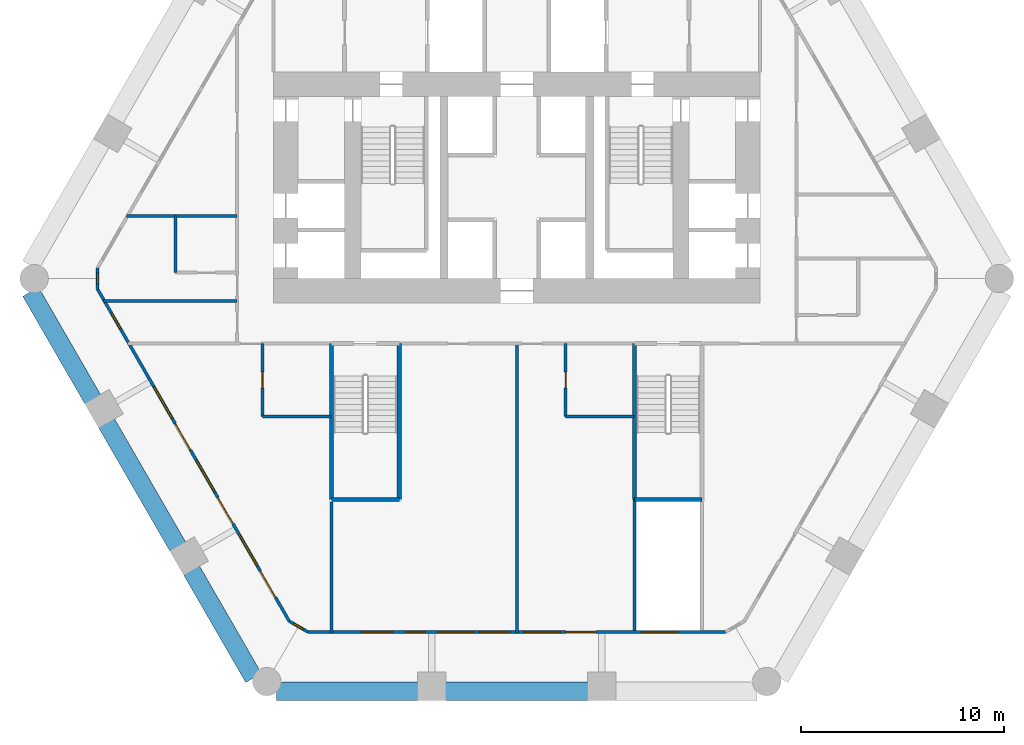
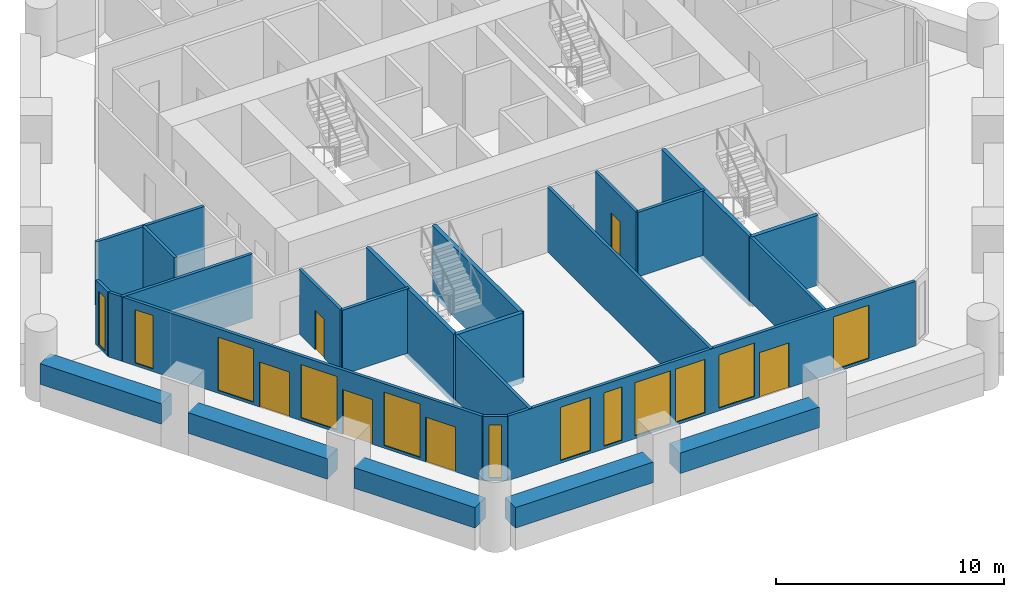
# One storey, part 2 of 8: 24 walls, 12 windows, 6 doors, 18 openings.
"""IFC4 building model written with IfcOpenShell, lengths in metres."""

from ifc_helpers import new_model, si_unit, direction, frame, frame_2d, origin, place, context, subcontext, project, spatial, rectangle, extrude, material, layer, layer_set, type_object, element, fill, save


model = new_model("IFC4")

# Units and contexts
model_context = context("Model", 3, precision=1e-05, world=origin(), true_north=direction((0.0, 1.0)))
body_context = subcontext(model_context, "Body", "Model", "MODEL_VIEW")
ifc_project = project(units=[si_unit("LENGTHUNIT", "METRE"), si_unit("AREAUNIT", "SQUARE_METRE"), si_unit("VOLUMEUNIT", "CUBIC_METRE"), si_unit("PLANEANGLEUNIT", "RADIAN"), si_unit("MASSUNIT", "GRAM", prefix="KILO")], contexts=[model_context])

# Site, building, storey
site_placement = place(None, origin())
site = spatial("IfcSite", under=ifc_project, at=site_placement, CompositionType="ELEMENT")
building_placement = place(site_placement, origin())
building = spatial("IfcBuilding", under=site, at=building_placement, Name="Ostrander Bayou Hotel Tower", CompositionType="ELEMENT")
storey_placement = place(building_placement, frame((0.0, 0.0, 54.25)))
storey = spatial("IfcBuildingStorey", under=building, at=storey_placement, Name="L13", CompositionType="ELEMENT", Elevation=54.25)

# Wall, openings, doors, windows
ifc_material_1 = material(Name="Aluminium framed insulated wall", Category="aluminium")
ifc_layer_1 = layer(ifc_material_1, 0.14990234375)
ifc_layer_set_1 = layer_set([ifc_layer_1], Name="GW1 glass-line wall 150 mm")
wall_type_1 = type_object("IfcWallType", Name="GW1 glass-line wall 150 mm", PredefinedType="SOLIDWALL", material=ifc_layer_set_1)
wall_1_placement = place(storey_placement, frame((-20.6845703125, -1.0234375, 0.0), z_axis=(0.0, 0.0, 1.0), x_axis=(0.500004426522, -0.866022848116, 0.0)))
wall_1 = element("IfcWall", 1, at=wall_1_placement, inside=storey, type_object=wall_type_1, Name="GW1 L13 SW 1", PredefinedType="SOLIDWALL", context=body_context, shape_type="SweptSolid", body=[
    extrude(rectangle(XDim=18.911865234375, YDim=0.14990234375, at=frame_2d((9.4560546875, 0.0))), origin(), (0.0, 0.0, 1.0), 3.449951171875),
])
opening_1_placement = place(wall_1_placement, frame((1.35595703125, 0.0, 0.14990234375)))
opening_1 = element("IfcOpeningElement", 2, at=opening_1_placement, cuts=wall_1, Name="Opening W15", PredefinedType="OPENING", context=body_context, shape_type="SweptSolid", body=[
    extrude(rectangle(XDim=0.89990234375, YDim=2.85009765625, at=frame_2d((0.449951171875, 1.425048828125))), frame((0.0, 0.074951171875, 0.0), z_axis=(0.0, -1.0, 0.0), x_axis=(1.0, 0.0, 0.0)), (0.0, 0.0, 1.0), 0.14990234375),
])
opening_2_placement = place(wall_1_placement, frame((5.555908203125, 0.0, 0.14990234375)))
opening_2 = element("IfcOpeningElement", 3, at=opening_2_placement, cuts=wall_1, Name="Opening W1", PredefinedType="OPENING", context=body_context, shape_type="SweptSolid", body=[
    extrude(rectangle(XDim=1.800048828125, YDim=2.85009765625, at=frame_2d((0.89990234375, 1.425048828125))), frame((0.0, 0.074951171875, 0.0), z_axis=(0.0, -1.0, 0.0), x_axis=(1.0, 0.0, 0.0)), (0.0, 0.0, 1.0), 0.14990234375),
])
opening_3_placement = place(wall_1_placement, frame((7.656005859375, 0.0, 0.0)))
opening_3 = element("IfcOpeningElement", 4, at=opening_3_placement, cuts=wall_1, Name="Opening T12-800", PredefinedType="OPENING", context=body_context, shape_type="SweptSolid", body=[
    extrude(rectangle(XDim=1.5, YDim=2.39990234375, at=frame_2d((0.75, 1.199951171875))), frame((0.0, 0.074951171875, 0.0), z_axis=(0.0, -1.0, 0.0), x_axis=(1.0, 0.0, 0.0)), (0.0, 0.0, 1.0), 0.14990234375),
])
opening_4_placement = place(wall_1_placement, frame((9.755859375, 0.0, 0.14990234375)))
opening_4 = element("IfcOpeningElement", 5, at=opening_4_placement, cuts=wall_1, Name="Opening W1", PredefinedType="OPENING", context=body_context, shape_type="SweptSolid", body=[
    extrude(rectangle(XDim=1.800048828125, YDim=2.85009765625, at=frame_2d((0.89990234375, 1.425048828125))), frame((0.0, 0.074951171875, 0.0), z_axis=(0.0, -1.0, 0.0), x_axis=(1.0, 0.0, 0.0)), (0.0, 0.0, 1.0), 0.14990234375),
])
opening_5_placement = place(wall_1_placement, frame((11.85595703125, 0.0, 0.0)))
opening_5 = element("IfcOpeningElement", 6, at=opening_5_placement, cuts=wall_1, Name="Opening T12-801", PredefinedType="OPENING", context=body_context, shape_type="SweptSolid", body=[
    extrude(rectangle(XDim=1.5, YDim=2.39990234375, at=frame_2d((0.75, 1.199951171875))), frame((0.0, 0.074951171875, 0.0), z_axis=(0.0, -1.0, 0.0), x_axis=(1.0, 0.0, 0.0)), (0.0, 0.0, 1.0), 0.14990234375),
])
opening_6_placement = place(wall_1_placement, frame((13.955810546875, 0.0, 0.14990234375)))
opening_6 = element("IfcOpeningElement", 7, at=opening_6_placement, cuts=wall_1, Name="Opening W1", PredefinedType="OPENING", context=body_context, shape_type="SweptSolid", body=[
    extrude(rectangle(XDim=1.800048828125, YDim=2.85009765625, at=frame_2d((0.89990234375, 1.425048828125))), frame((0.0, 0.074951171875, 0.0), z_axis=(0.0, -1.0, 0.0), x_axis=(1.0, 0.0, 0.0)), (0.0, 0.0, 1.0), 0.14990234375),
])
opening_7_placement = place(wall_1_placement, frame((16.055908203125, 0.0, 0.0)))
opening_7 = element("IfcOpeningElement", 8, at=opening_7_placement, cuts=wall_1, Name="Opening T12-802", PredefinedType="OPENING", context=body_context, shape_type="SweptSolid", body=[
    extrude(rectangle(XDim=1.5, YDim=2.39990234375, at=frame_2d((0.75, 1.199951171875))), frame((0.0, 0.074951171875, 0.0), z_axis=(0.0, -1.0, 0.0), x_axis=(1.0, 0.0, 0.0)), (0.0, 0.0, 1.0), 0.14990234375),
])
ifc_material_2 = material(Name="Aluminium and clear glass", Category="aluminium")
door_type_1 = type_object("IfcDoorType", Name="SD1 sliding glass door 1500 mm, zone 1", OperationType="SLIDING_TO_LEFT", PredefinedType="DOOR", material=ifc_material_2)
door_1_placement = place(opening_3_placement, origin())
door_1 = element("IfcDoor", 9, at=door_1_placement, inside=storey, type_object=door_type_1, Name="SD1 L13 SW 2", OperationType="SLIDING_TO_RIGHT", OverallHeight=2.39990234375, OverallWidth=1.5, PredefinedType="DOOR", context=body_context, shape_type="SweptSolid", body=[
    extrude(rectangle(XDim=1.5, YDim=2.39990234375, at=frame_2d((0.75, 1.199951171875))), frame((0.0, 0.02490234375, 0.0), z_axis=(0.0, -1.0, 0.0), x_axis=(1.0, 0.0, 0.0)), (0.0, 0.0, 1.0), 0.050048828125),
])
fill(opening_3, door_1)
door_2_placement = place(opening_5_placement, origin())
door_2 = element("IfcDoor", 10, at=door_2_placement, inside=storey, type_object=door_type_1, Name="SD1 L13 SW 3", OperationType="SLIDING_TO_LEFT", OverallHeight=2.39990234375, OverallWidth=1.5, PredefinedType="DOOR", context=body_context, shape_type="SweptSolid", body=[
    extrude(rectangle(XDim=1.5, YDim=2.39990234375, at=frame_2d((0.75, 1.199951171875))), frame((0.0, 0.02490234375, 0.0), z_axis=(0.0, -1.0, 0.0), x_axis=(1.0, 0.0, 0.0)), (0.0, 0.0, 1.0), 0.050048828125),
])
fill(opening_5, door_2)
door_3_placement = place(opening_7_placement, origin())
door_3 = element("IfcDoor", 11, at=door_3_placement, inside=storey, type_object=door_type_1, Name="SD1 L13 SW 4", OperationType="SLIDING_TO_RIGHT", OverallHeight=2.39990234375, OverallWidth=1.5, PredefinedType="DOOR", context=body_context, shape_type="SweptSolid", body=[
    extrude(rectangle(XDim=1.5, YDim=2.39990234375, at=frame_2d((0.75, 1.199951171875))), frame((0.0, 0.02490234375, 0.0), z_axis=(0.0, -1.0, 0.0), x_axis=(1.0, 0.0, 0.0)), (0.0, 0.0, 1.0), 0.050048828125),
])
fill(opening_7, door_3)
ifc_material_3 = material(Name="Aluminium and clear glass", Category="aluminium")
window_type_1 = type_object("IfcWindowType", Name="W1 fixed window 1800 mm, zone 1", PartitioningType="SINGLE_PANEL", PredefinedType="WINDOW", material=ifc_material_3)
window_1_placement = place(opening_2_placement, origin())
window_1 = element("IfcWindow", 12, at=window_1_placement, inside=storey, type_object=window_type_1, Name="W1 L13 SW 2", OverallHeight=2.85009765625, OverallWidth=1.800048828125, PartitioningType="SINGLE_PANEL", PredefinedType="WINDOW", context=body_context, shape_type="SweptSolid", body=[
    extrude(rectangle(XDim=1.800048828125, YDim=2.85009765625, at=frame_2d((0.89990234375, 1.425048828125))), frame((0.0, 0.030029296875, 0.0), z_axis=(0.0, -1.0, 0.0), x_axis=(1.0, 0.0, 0.0)), (0.0, 0.0, 1.0), 0.06005859375),
])
fill(opening_2, window_1)
window_2_placement = place(opening_4_placement, origin())
window_2 = element("IfcWindow", 13, at=window_2_placement, inside=storey, type_object=window_type_1, Name="W1 L13 SW 3", OverallHeight=2.85009765625, OverallWidth=1.800048828125, PartitioningType="SINGLE_PANEL", PredefinedType="WINDOW", context=body_context, shape_type="SweptSolid", body=[
    extrude(rectangle(XDim=1.800048828125, YDim=2.85009765625, at=frame_2d((0.89990234375, 1.425048828125))), frame((0.0, 0.030029296875, 0.0), z_axis=(0.0, -1.0, 0.0), x_axis=(1.0, 0.0, 0.0)), (0.0, 0.0, 1.0), 0.06005859375),
])
fill(opening_4, window_2)
window_3_placement = place(opening_6_placement, origin())
window_3 = element("IfcWindow", 14, at=window_3_placement, inside=storey, type_object=window_type_1, Name="W1 L13 SW 4", OverallHeight=2.85009765625, OverallWidth=1.800048828125, PartitioningType="SINGLE_PANEL", PredefinedType="WINDOW", context=body_context, shape_type="SweptSolid", body=[
    extrude(rectangle(XDim=1.800048828125, YDim=2.85009765625, at=frame_2d((0.89990234375, 1.425048828125))), frame((0.0, 0.030029296875, 0.0), z_axis=(0.0, -1.0, 0.0), x_axis=(1.0, 0.0, 0.0)), (0.0, 0.0, 1.0), 0.06005859375),
])
fill(opening_6, window_3)
ifc_material_4 = material(Name="Aluminium and clear glass", Category="aluminium")
window_type_2 = type_object("IfcWindowType", Name="W15 window 900 mm, zone 1", PartitioningType="SINGLE_PANEL", PredefinedType="WINDOW", material=ifc_material_4)
window_4_placement = place(opening_1_placement, origin())
window_4 = element("IfcWindow", 15, at=window_4_placement, inside=storey, type_object=window_type_2, Name="W15 L13 SW 1", OverallHeight=2.85009765625, OverallWidth=0.89990234375, PartitioningType="SINGLE_PANEL", PredefinedType="WINDOW", context=body_context, shape_type="SweptSolid", body=[
    extrude(rectangle(XDim=0.89990234375, YDim=2.85009765625, at=frame_2d((0.449951171875, 1.425048828125))), frame((0.0, 0.030029296875, 0.0), z_axis=(0.0, -1.0, 0.0), x_axis=(1.0, 0.0, 0.0)), (0.0, 0.0, 1.0), 0.06005859375),
])
fill(opening_1, window_4)

# Wall, openings, door, windows
wall_2_placement = place(storey_placement, frame((-10.306396484375, -17.93408203125, 0.0), z_axis=(0.0, 0.0, 1.0), x_axis=(1.0, 0.0, 0.0)))
wall_2 = element("IfcWall", 16, at=wall_2_placement, inside=storey, type_object=wall_type_1, Name="GW1 L13 S 1", PredefinedType="SOLIDWALL", context=body_context, shape_type="SweptSolid", body=[
    extrude(rectangle(XDim=20.61279296875, YDim=0.14990234375, at=frame_2d((10.306396484375, 0.0))), origin(), (0.0, 0.0, 1.0), 3.449951171875),
])
opening_8_placement = place(wall_2_placement, frame((4.856201171875, 0.0, 0.14990234375)))
opening_8 = element("IfcOpeningElement", 17, at=opening_8_placement, cuts=wall_2, Name="Opening W15", PredefinedType="OPENING", context=body_context, shape_type="SweptSolid", body=[
    extrude(rectangle(XDim=0.89990234375, YDim=2.85009765625, at=frame_2d((0.449951171875, 1.425048828125))), frame((0.0, 0.074951171875, 0.0), z_axis=(0.0, -1.0, 0.0), x_axis=(1.0, 0.0, 0.0)), (0.0, 0.0, 1.0), 0.14990234375),
])
opening_9_placement = place(wall_2_placement, frame((2.65625, 0.0, 0.14990234375)))
opening_9 = element("IfcOpeningElement", 18, at=opening_9_placement, cuts=wall_2, Name="Opening W11", PredefinedType="OPENING", context=body_context, shape_type="SweptSolid", body=[
    extrude(rectangle(XDim=1.5, YDim=2.85009765625, at=frame_2d((0.75, 1.425048828125))), frame((0.0, 0.074951171875, 0.0), z_axis=(0.0, -1.0, 0.0), x_axis=(1.0, 0.0, 0.0)), (0.0, 0.0, 1.0), 0.14990234375),
])
opening_10_placement = place(wall_2_placement, frame((6.40625, 0.0, 0.14990234375)))
opening_10 = element("IfcOpeningElement", 19, at=opening_10_placement, cuts=wall_2, Name="Opening W1", PredefinedType="OPENING", context=body_context, shape_type="SweptSolid", body=[
    extrude(rectangle(XDim=1.800048828125, YDim=2.85009765625, at=frame_2d((0.89990234375, 1.425048828125))), frame((0.0, 0.074951171875, 0.0), z_axis=(0.0, -1.0, 0.0), x_axis=(1.0, 0.0, 0.0)), (0.0, 0.0, 1.0), 0.14990234375),
])
opening_11_placement = place(wall_2_placement, frame((8.456298828125, 0.0, 0.14990234375)))
opening_11 = element("IfcOpeningElement", 20, at=opening_11_placement, cuts=wall_2, Name="Opening W11", PredefinedType="OPENING", context=body_context, shape_type="SweptSolid", body=[
    extrude(rectangle(XDim=1.5, YDim=2.85009765625, at=frame_2d((0.75, 1.425048828125))), frame((0.0, 0.074951171875, 0.0), z_axis=(0.0, -1.0, 0.0), x_axis=(1.0, 0.0, 0.0)), (0.0, 0.0, 1.0), 0.14990234375),
])
opening_12_placement = place(wall_2_placement, frame((10.65625, 0.0, 0.14990234375)))
opening_12 = element("IfcOpeningElement", 21, at=opening_12_placement, cuts=wall_2, Name="Opening W1", PredefinedType="OPENING", context=body_context, shape_type="SweptSolid", body=[
    extrude(rectangle(XDim=1.800048828125, YDim=2.85009765625, at=frame_2d((0.89990234375, 1.425048828125))), frame((0.0, 0.074951171875, 0.0), z_axis=(0.0, -1.0, 0.0), x_axis=(1.0, 0.0, 0.0)), (0.0, 0.0, 1.0), 0.14990234375),
])
opening_13_placement = place(wall_2_placement, frame((12.706298828125, 0.0, 0.0)))
opening_13 = element("IfcOpeningElement", 22, at=opening_13_placement, cuts=wall_2, Name="Opening T12-803", PredefinedType="OPENING", context=body_context, shape_type="SweptSolid", body=[
    extrude(rectangle(XDim=1.5, YDim=2.39990234375, at=frame_2d((0.75, 1.199951171875))), frame((0.0, 0.074951171875, 0.0), z_axis=(0.0, -1.0, 0.0), x_axis=(1.0, 0.0, 0.0)), (0.0, 0.0, 1.0), 0.14990234375),
])
opening_14_placement = place(wall_2_placement, frame((16.456298828125, 0.0, 0.14990234375)))
opening_14 = element("IfcOpeningElement", 23, at=opening_14_placement, cuts=wall_2, Name="Opening W1", PredefinedType="OPENING", context=body_context, shape_type="SweptSolid", body=[
    extrude(rectangle(XDim=1.800048828125, YDim=2.85009765625, at=frame_2d((0.89990234375, 1.425048828125))), frame((0.0, 0.074951171875, 0.0), z_axis=(0.0, -1.0, 0.0), x_axis=(1.0, 0.0, 0.0)), (0.0, 0.0, 1.0), 0.14990234375),
])
door_4_placement = place(opening_13_placement, origin())
door_4 = element("IfcDoor", 24, at=door_4_placement, inside=storey, type_object=door_type_1, Name="SD1 L13 S 3", OperationType="SLIDING_TO_LEFT", OverallHeight=2.39990234375, OverallWidth=1.5, PredefinedType="DOOR", context=body_context, shape_type="SweptSolid", body=[
    extrude(rectangle(XDim=1.5, YDim=2.39990234375, at=frame_2d((0.75, 1.199951171875))), frame((0.0, 0.02490234375, 0.0), z_axis=(0.0, -1.0, 0.0), x_axis=(1.0, 0.0, 0.0)), (0.0, 0.0, 1.0), 0.050048828125),
])
fill(opening_13, door_4)
window_5_placement = place(opening_10_placement, origin())
window_5 = element("IfcWindow", 25, at=window_5_placement, inside=storey, type_object=window_type_1, Name="W1 L13 S 2", OverallHeight=2.85009765625, OverallWidth=1.800048828125, PartitioningType="SINGLE_PANEL", PredefinedType="WINDOW", context=body_context, shape_type="SweptSolid", body=[
    extrude(rectangle(XDim=1.800048828125, YDim=2.85009765625, at=frame_2d((0.89990234375, 1.425048828125))), frame((0.0, 0.030029296875, 0.0), z_axis=(0.0, -1.0, 0.0), x_axis=(1.0, 0.0, 0.0)), (0.0, 0.0, 1.0), 0.06005859375),
])
fill(opening_10, window_5)
window_6_placement = place(opening_12_placement, origin())
window_6 = element("IfcWindow", 26, at=window_6_placement, inside=storey, type_object=window_type_1, Name="W1 L13 S 3", OverallHeight=2.85009765625, OverallWidth=1.800048828125, PartitioningType="SINGLE_PANEL", PredefinedType="WINDOW", context=body_context, shape_type="SweptSolid", body=[
    extrude(rectangle(XDim=1.800048828125, YDim=2.85009765625, at=frame_2d((0.89990234375, 1.425048828125))), frame((0.0, 0.030029296875, 0.0), z_axis=(0.0, -1.0, 0.0), x_axis=(1.0, 0.0, 0.0)), (0.0, 0.0, 1.0), 0.06005859375),
])
fill(opening_12, window_6)
window_7_placement = place(opening_14_placement, origin())
window_7 = element("IfcWindow", 27, at=window_7_placement, inside=storey, type_object=window_type_1, Name="W1 L13 S 4", OverallHeight=2.85009765625, OverallWidth=1.800048828125, PartitioningType="SINGLE_PANEL", PredefinedType="WINDOW", context=body_context, shape_type="SweptSolid", body=[
    extrude(rectangle(XDim=1.800048828125, YDim=2.85009765625, at=frame_2d((0.89990234375, 1.425048828125))), frame((0.0, 0.030029296875, 0.0), z_axis=(0.0, -1.0, 0.0), x_axis=(1.0, 0.0, 0.0)), (0.0, 0.0, 1.0), 0.06005859375),
])
fill(opening_14, window_7)
ifc_material_5 = material(Name="Aluminium and clear glass", Category="aluminium")
window_type_3 = type_object("IfcWindowType", Name="W11 fixed window 1500 mm, bath bay, zone 1", PartitioningType="SINGLE_PANEL", PredefinedType="WINDOW", material=ifc_material_5)
window_8_placement = place(opening_9_placement, origin())
window_8 = element("IfcWindow", 28, at=window_8_placement, inside=storey, type_object=window_type_3, Name="W11 L13 S 1", OverallHeight=2.85009765625, OverallWidth=1.5, PartitioningType="SINGLE_PANEL", PredefinedType="WINDOW", context=body_context, shape_type="SweptSolid", body=[
    extrude(rectangle(XDim=1.5, YDim=2.85009765625, at=frame_2d((0.75, 1.425048828125))), frame((0.0, 0.030029296875, 0.0), z_axis=(0.0, -1.0, 0.0), x_axis=(1.0, 0.0, 0.0)), (0.0, 0.0, 1.0), 0.06005859375),
])
fill(opening_9, window_8)
window_9_placement = place(opening_11_placement, origin())
window_9 = element("IfcWindow", 29, at=window_9_placement, inside=storey, type_object=window_type_3, Name="W11 L13 S 2", OverallHeight=2.85009765625, OverallWidth=1.5, PartitioningType="SINGLE_PANEL", PredefinedType="WINDOW", context=body_context, shape_type="SweptSolid", body=[
    extrude(rectangle(XDim=1.5, YDim=2.85009765625, at=frame_2d((0.75, 1.425048828125))), frame((0.0, 0.030029296875, 0.0), z_axis=(0.0, -1.0, 0.0), x_axis=(1.0, 0.0, 0.0)), (0.0, 0.0, 1.0), 0.06005859375),
])
fill(opening_11, window_9)
window_10_placement = place(opening_8_placement, origin())
window_10 = element("IfcWindow", 30, at=window_10_placement, inside=storey, type_object=window_type_2, Name="W15 L13 S 1", OverallHeight=2.85009765625, OverallWidth=0.89990234375, PartitioningType="SINGLE_PANEL", PredefinedType="WINDOW", context=body_context, shape_type="SweptSolid", body=[
    extrude(rectangle(XDim=0.89990234375, YDim=2.85009765625, at=frame_2d((0.449951171875, 1.425048828125))), frame((0.0, 0.030029296875, 0.0), z_axis=(0.0, -1.0, 0.0), x_axis=(1.0, 0.0, 0.0)), (0.0, 0.0, 1.0), 0.06005859375),
])
fill(opening_8, window_10)

# Wall, opening, window
wall_3_placement = place(storey_placement, frame((-20.6845703125, 0.04150390625, 0.0), z_axis=(0.0, 0.0, 1.0), x_axis=(0.0, -1.0, 0.0)))
wall_3 = element("IfcWall", 31, at=wall_3_placement, inside=storey, type_object=wall_type_1, Name="GW1 L13 corner 2", PredefinedType="SOLIDWALL", context=body_context, shape_type="SweptSolid", body=[
    extrude(rectangle(XDim=1.06494140625, YDim=0.14990234375, at=frame_2d((0.532470703125, 0.0))), origin(), (0.0, 0.0, 1.0), 3.449951171875),
])
opening_15_placement = place(wall_3_placement, frame((0.257568359375, 0.0, 0.14990234375)))
opening_15 = element("IfcOpeningElement", 32, at=opening_15_placement, cuts=wall_3, Name="Opening W19", PredefinedType="OPENING", context=body_context, shape_type="SweptSolid", body=[
    extrude(rectangle(XDim=0.550048828125, YDim=2.85009765625, at=frame_2d((0.27490234375, 1.425048828125))), frame((0.0, 0.074951171875, 0.0), z_axis=(0.0, -1.0, 0.0), x_axis=(1.0, 0.0, 0.0)), (0.0, 0.0, 1.0), 0.14990234375),
])
ifc_material_6 = material(Name="Aluminium and clear glass", Category="aluminium")
window_type_4 = type_object("IfcWindowType", Name="W19 corner window 550 mm", PartitioningType="SINGLE_PANEL", PredefinedType="WINDOW", material=ifc_material_6)
window_11_placement = place(opening_15_placement, origin())
window_11 = element("IfcWindow", 33, at=window_11_placement, inside=storey, type_object=window_type_4, Name="W19 L13 corner 2", OverallHeight=2.85009765625, OverallWidth=0.550048828125, PartitioningType="SINGLE_PANEL", PredefinedType="WINDOW", context=body_context, shape_type="SweptSolid", body=[
    extrude(rectangle(XDim=0.550048828125, YDim=2.85009765625, at=frame_2d((0.27490234375, 1.425048828125))), frame((0.0, 0.030029296875, 0.0), z_axis=(0.0, -1.0, 0.0), x_axis=(1.0, 0.0, 0.0)), (0.0, 0.0, 1.0), 0.06005859375),
])
fill(opening_15, window_11)

wall_4_placement = place(storey_placement, frame((-11.228515625, -17.401611328125, 0.0), z_axis=(0.0, 0.0, 1.0), x_axis=(0.865990848561, -0.500059846627, 0.0)))
wall_4 = element("IfcWall", 34, at=wall_4_placement, inside=storey, type_object=wall_type_1, Name="GW1 L13 corner 3", PredefinedType="SOLIDWALL", context=body_context, shape_type="SweptSolid", body=[
    extrude(rectangle(XDim=1.064697265625, YDim=0.14990234375, at=frame_2d((0.5322265625, 0.0))), origin(), (0.0, 0.0, 1.0), 3.449951171875),
])
opening_16_placement = place(wall_4_placement, frame((0.257568359375, 0.0, 0.14990234375)))
opening_16 = element("IfcOpeningElement", 35, at=opening_16_placement, cuts=wall_4, Name="Opening W19", PredefinedType="OPENING", context=body_context, shape_type="SweptSolid", body=[
    extrude(rectangle(XDim=0.550048828125, YDim=2.85009765625, at=frame_2d((0.27490234375, 1.425048828125))), frame((0.0, 0.074951171875, 0.0), z_axis=(0.0, -1.0, 0.0), x_axis=(1.0, 0.0, 0.0)), (0.0, 0.0, 1.0), 0.14990234375),
])
window_12_placement = place(opening_16_placement, origin())
window_12 = element("IfcWindow", 36, at=window_12_placement, inside=storey, type_object=window_type_4, Name="W19 L13 corner 3", OverallHeight=2.85009765625, OverallWidth=0.550048828125, PartitioningType="SINGLE_PANEL", PredefinedType="WINDOW", context=body_context, shape_type="SweptSolid", body=[
    extrude(rectangle(XDim=0.550048828125, YDim=2.85009765625, at=frame_2d((0.27490234375, 1.425048828125))), frame((0.0, 0.030029296875, 0.0), z_axis=(0.0, -1.0, 0.0), x_axis=(1.0, 0.0, 0.0)), (0.0, 0.0, 1.0), 0.06005859375),
])
fill(opening_16, window_12)

# Walls
ifc_material_7 = material(Name="Concrete f'c 40 MPa", Category="concrete")
ifc_layer_2 = layer(ifc_material_7, 0.89990234375)
ifc_layer_set_2 = layer_set([ifc_layer_2], Name="PA1 stone-faced parapet 900 mm")
wall_type_2 = type_object("IfcWallType", Name="PA1 stone-faced parapet 900 mm", PredefinedType="PARAPET", material=ifc_layer_set_2)
wall_5_placement = place(storey_placement, frame((-11.852294921875, -20.85888671875, 0.0), z_axis=(0.0, 0.0, 1.0), x_axis=(1.0, 0.0, 0.0)))
element("IfcWall", 37, at=wall_5_placement, inside=storey, type_object=wall_type_2, Name="PA1 L13 S-1", PredefinedType="PARAPET", context=body_context, shape_type="SweptSolid", body=[
    extrude(rectangle(XDim=6.98681640625, YDim=0.89990234375, at=frame_2d((3.493408203125, 0.0))), origin(), (0.0, 0.0, 1.0), 1.10009765625),
])
wall_6_placement = place(storey_placement, frame((-3.525390625, -20.85888671875, 0.0), z_axis=(0.0, 0.0, 1.0), x_axis=(1.0, 0.0, 0.0)))
element("IfcWall", 38, at=wall_6_placement, inside=storey, type_object=wall_type_2, Name="PA1 L13 S-2", PredefinedType="PARAPET", context=body_context, shape_type="SweptSolid", body=[
    extrude(rectangle(XDim=7.05078125, YDim=0.89990234375, at=frame_2d((3.525390625, 0.0))), origin(), (0.0, 0.0, 1.0), 1.10009765625),
])
ifc_material_8 = material(Name="Limestone masonry", Category="masonry")
ifc_layer_3 = layer(ifc_material_8, 0.89990234375)
ifc_layer_set_3 = layer_set([ifc_layer_3], Name="PA2 limestone parapet 900 mm")
wall_type_3 = type_object("IfcWallType", Name="PA2 limestone parapet 900 mm", PredefinedType="PARAPET", material=ifc_layer_set_3)
wall_7_placement = place(storey_placement, frame((-23.99072265625, -1.14697265625, 0.0), z_axis=(0.0, 0.0, 1.0), x_axis=(0.500007141444, -0.86602128063, 0.0)))
element("IfcWall", 39, at=wall_7_placement, inside=storey, type_object=wall_type_3, Name="PA2 L13 SW-1", PredefinedType="PARAPET", context=body_context, shape_type="SweptSolid", body=[
    extrude(rectangle(XDim=6.13671875, YDim=0.89990234375, at=frame_2d((3.068359375, 0.0))), origin(), (0.0, 0.0, 1.0), 1.10009765625),
])
wall_8_placement = place(storey_placement, frame((-20.252197265625, -7.621826171875, 0.0), z_axis=(0.0, 0.0, 1.0), x_axis=(0.499997206141, -0.866027016814, 0.0)))
element("IfcWall", 40, at=wall_8_placement, inside=storey, type_object=wall_type_3, Name="PA2 L13 SW-2", PredefinedType="PARAPET", context=body_context, shape_type="SweptSolid", body=[
    extrude(rectangle(XDim=7.05078125, YDim=0.89990234375, at=frame_2d((3.525390625, 0.0))), origin(), (0.0, 0.0, 1.0), 1.10009765625),
])
wall_9_placement = place(storey_placement, frame((-16.056884765625, -14.888671875, 0.0), z_axis=(0.0, 0.0, 1.0), x_axis=(0.500007141444, -0.86602128063, 0.0)))
element("IfcWall", 41, at=wall_9_placement, inside=storey, type_object=wall_type_3, Name="PA2 L13 SW-3", PredefinedType="PARAPET", context=body_context, shape_type="SweptSolid", body=[
    extrude(rectangle(XDim=6.13671875, YDim=0.89990234375, at=frame_2d((3.068359375, 0.0))), origin(), (0.0, 0.0, 1.0), 1.10009765625),
])
ifc_material_9 = material(Name="Gypsum board partition", Category="finish")
ifc_layer_4 = layer(ifc_material_9, 0.14990234375)
ifc_layer_set_4 = layer_set([ifc_layer_4], Name="PT7 riser wall 150 mm, 2 hour")
wall_type_4 = type_object("IfcWallType", Name="PT7 riser wall 150 mm, 2 hour", PredefinedType="PARTITIONING", material=ifc_layer_set_4)
wall_10_placement = place(storey_placement, frame((5.800048828125, -11.39990234375, 0.0), z_axis=(0.0, 0.0, 1.0), x_axis=(0.0, -1.0, 0.0)))
element("IfcWall", 42, at=wall_10_placement, inside=storey, type_object=wall_type_4, Name="cs:L13:017", PredefinedType="PARTITIONING", context=body_context, shape_type="SweptSolid", body=[
    extrude(rectangle(XDim=6.458984375, YDim=0.14990234375, at=frame_2d((3.2294921875, 0.0))), origin(), (0.0, 0.0, 1.0), 3.449951171875),
])
ifc_material_10 = material(Name="Gypsum board partition", Category="finish")
ifc_layer_5 = layer(ifc_material_10, 0.14990234375)
ifc_layer_set_5 = layer_set([ifc_layer_5], Name="PT8 service band wall 150 mm, 1 hour")
wall_type_5 = type_object("IfcWallType", Name="PT8 service band wall 150 mm, 1 hour", PredefinedType="PARTITIONING", material=ifc_layer_set_5)
wall_11_placement = place(storey_placement, frame((-12.550048828125, -7.300048828125, 0.0), z_axis=(0.0, 0.0, 1.0), x_axis=(1.0, 0.0, 0.0)))
element("IfcWall", 43, at=wall_11_placement, inside=storey, type_object=wall_type_5, Name="gw:L13:001", PredefinedType="PARTITIONING", context=body_context, shape_type="SweptSolid", body=[
    extrude(rectangle(XDim=3.39013671875, YDim=0.14990234375, at=frame_2d((1.695068359375, 0.0))), origin(), (0.0, 0.0, 1.0), 3.449951171875),
])
wall_12_placement = place(storey_placement, frame((2.409912109375, -7.300048828125, 0.0), z_axis=(0.0, 0.0, 1.0), x_axis=(1.0, 0.0, 0.0)))
element("IfcWall", 44, at=wall_12_placement, inside=storey, type_object=wall_type_5, Name="gw:L13:002", PredefinedType="PARTITIONING", context=body_context, shape_type="SweptSolid", body=[
    extrude(rectangle(XDim=3.380126953125, YDim=0.14990234375, at=frame_2d((1.68994140625, 0.0))), origin(), (0.0, 0.0, 1.0), 3.449951171875),
])
wall_13_placement = place(storey_placement, frame((-20.404052734375, -1.60009765625, 0.0), z_axis=(0.0, 0.0, 1.0), x_axis=(1.0, 0.0, 0.0)))
element("IfcWall", 45, at=wall_13_placement, inside=storey, type_object=wall_type_5, Name="gw:L13:007", PredefinedType="PARTITIONING", context=body_context, shape_type="SweptSolid", body=[
    extrude(rectangle(XDim=6.60400390625, YDim=0.14990234375, at=frame_2d((3.302001953125, 0.0))), origin(), (0.0, 0.0, 1.0), 3.449951171875),
])
wall_14_placement = place(storey_placement, frame((-19.259033203125, 2.60009765625, 0.0), z_axis=(0.0, 0.0, 1.0), x_axis=(1.0, 0.0, 0.0)))
element("IfcWall", 46, at=wall_14_placement, inside=storey, type_object=wall_type_5, Name="gw:L13:010", PredefinedType="PARTITIONING", context=body_context, shape_type="SweptSolid", body=[
    extrude(rectangle(XDim=5.458984375, YDim=0.14990234375, at=frame_2d((2.7294921875, 0.0))), origin(), (0.0, 0.0, 1.0), 3.449951171875),
])

# Wall, opening, door
wall_15_placement = place(storey_placement, frame((2.409912109375, -7.300048828125, 0.0), z_axis=(0.0, 0.0, 1.0), x_axis=(0.0, 1.0, 0.0)))
wall_15 = element("IfcWall", 47, at=wall_15_placement, inside=storey, type_object=wall_type_5, Name="gw:L13:025", PredefinedType="PARTITIONING", context=body_context, shape_type="SweptSolid", body=[
    extrude(rectangle(XDim=3.60009765625, YDim=0.14990234375, at=frame_2d((1.800048828125, 0.0))), origin(), (0.0, 0.0, 1.0), 3.449951171875),
])
opening_17_placement = place(wall_15_placement, frame((1.39990234375, 0.0, 0.0)))
opening_17 = element("IfcOpeningElement", 48, at=opening_17_placement, cuts=wall_15, Name="Opening T12-404", PredefinedType="OPENING", context=body_context, shape_type="SweptSolid", body=[
    extrude(rectangle(XDim=0.800048828125, YDim=2.10009765625, at=frame_2d((0.39990234375, 1.050048828125))), frame((0.0, 0.074951171875, 0.0), z_axis=(0.0, -1.0, 0.0), x_axis=(1.0, 0.0, 0.0)), (0.0, 0.0, 1.0), 0.14990234375),
])
ifc_material_11 = material(Name="Timber door leaf", Category="wood")
door_type_2 = type_object("IfcDoorType", Name="D2 bathroom door 800 x 2100 mm", OperationType="SINGLE_SWING_LEFT", PredefinedType="DOOR", material=ifc_material_11)
door_5_placement = place(opening_17_placement, origin())
door_5 = element("IfcDoor", 49, at=door_5_placement, inside=storey, type_object=door_type_2, Name="dr:L13:404", OperationType="SINGLE_SWING_RIGHT", OverallHeight=2.10009765625, OverallWidth=0.800048828125, PredefinedType="DOOR", context=body_context, shape_type="SweptSolid", body=[
    extrude(rectangle(XDim=0.800048828125, YDim=2.10009765625, at=frame_2d((0.39990234375, 1.050048828125))), frame((0.0, 0.02490234375, 0.0), z_axis=(0.0, -1.0, 0.0), x_axis=(1.0, 0.0, 0.0)), (0.0, 0.0, 1.0), 0.050048828125),
])
fill(opening_17, door_5)

# Walls
wall_16_placement = place(storey_placement, frame((0.0, -17.97900390625, 0.0), z_axis=(0.0, 0.0, 1.0), x_axis=(0.0, 1.0, 0.0)))
element("IfcWall", 50, at=wall_16_placement, inside=storey, type_object=wall_type_5, Name="gw:L13:027", PredefinedType="PARTITIONING", context=body_context, shape_type="SweptSolid", body=[
    extrude(rectangle(XDim=14.279052734375, YDim=0.14990234375, at=frame_2d((7.1396484375, 0.0))), origin(), (0.0, 0.0, 1.0), 3.449951171875),
])
wall_17_placement = place(storey_placement, frame((-9.14990234375, -17.97900390625, 0.0), z_axis=(0.0, 0.0, 1.0), x_axis=(0.0, 1.0, 0.0)))
element("IfcWall", 51, at=wall_17_placement, inside=storey, type_object=wall_type_5, Name="gw:L13:032", PredefinedType="PARTITIONING", context=body_context, shape_type="SweptSolid", body=[
    extrude(rectangle(XDim=6.468994140625, YDim=0.14990234375, at=frame_2d((3.234375, 0.0))), origin(), (0.0, 0.0, 1.0), 3.449951171875),
])

# Wall, opening, door
wall_18_placement = place(storey_placement, frame((-12.550048828125, -7.300048828125, 0.0), z_axis=(0.0, 0.0, 1.0), x_axis=(0.0, 1.0, 0.0)))
wall_18 = element("IfcWall", 52, at=wall_18_placement, inside=storey, type_object=wall_type_5, Name="gw:L13:034", PredefinedType="PARTITIONING", context=body_context, shape_type="SweptSolid", body=[
    extrude(rectangle(XDim=3.60009765625, YDim=0.14990234375, at=frame_2d((1.800048828125, 0.0))), origin(), (0.0, 0.0, 1.0), 3.449951171875),
])
opening_18_placement = place(wall_18_placement, frame((1.39990234375, 0.0, 0.0)))
opening_18 = element("IfcOpeningElement", 53, at=opening_18_placement, cuts=wall_18, Name="Opening T12-402", PredefinedType="OPENING", context=body_context, shape_type="SweptSolid", body=[
    extrude(rectangle(XDim=0.800048828125, YDim=2.10009765625, at=frame_2d((0.39990234375, 1.050048828125))), frame((0.0, 0.074951171875, 0.0), z_axis=(0.0, -1.0, 0.0), x_axis=(1.0, 0.0, 0.0)), (0.0, 0.0, 1.0), 0.14990234375),
])
door_6_placement = place(opening_18_placement, origin())
door_6 = element("IfcDoor", 54, at=door_6_placement, inside=storey, type_object=door_type_2, Name="dr:L13:402", OperationType="SINGLE_SWING_RIGHT", OverallHeight=2.10009765625, OverallWidth=0.800048828125, PredefinedType="DOOR", context=body_context, shape_type="SweptSolid", body=[
    extrude(rectangle(XDim=0.800048828125, YDim=2.10009765625, at=frame_2d((0.39990234375, 1.050048828125))), frame((0.0, 0.02490234375, 0.0), z_axis=(0.0, -1.0, 0.0), x_axis=(1.0, 0.0, 0.0)), (0.0, 0.0, 1.0), 0.050048828125),
])
fill(opening_18, door_6)

# Walls
wall_19_placement = place(storey_placement, frame((-16.85009765625, -0.199951171875, 0.0), z_axis=(0.0, 0.0, 1.0), x_axis=(0.0, 1.0, 0.0)))
element("IfcWall", 55, at=wall_19_placement, inside=storey, type_object=wall_type_5, Name="gw:L13:036", PredefinedType="PARTITIONING", context=body_context, shape_type="SweptSolid", body=[
    extrude(rectangle(XDim=2.800048828125, YDim=0.14990234375, at=frame_2d((1.39990234375, 0.0))), origin(), (0.0, 0.0, 1.0), 3.449951171875),
])
ifc_material_12 = material(Name="Concrete f'c 45 MPa", Category="concrete")
ifc_layer_6 = layer(ifc_material_12, 0.199951171875)
ifc_layer_set_6 = layer_set([ifc_layer_6], Name="SW5 stair enclosure wall 200 mm f'c 45 MPa")
wall_type_6 = type_object("IfcWallType", Name="SW5 stair enclosure wall 200 mm f'c 45 MPa", PredefinedType="SOLIDWALL", material=ifc_layer_set_6)
wall_20_placement = place(storey_placement, frame((5.800048828125, -3.699951171875, -0.300048828125), z_axis=(0.0, 0.0, 1.0), x_axis=(0.0, -1.0, 0.0)))
element("IfcWall", 56, at=wall_20_placement, inside=storey, type_object=wall_type_6, Name="cs:L13:014", PredefinedType="SOLIDWALL", context=body_context, shape_type="SweptSolid", body=[
    extrude(rectangle(XDim=7.699951171875, YDim=0.199951171875, at=frame_2d((3.85009765625, 0.0))), origin(), (0.0, 0.0, 1.0), 3.75),
])
wall_21_placement = place(storey_placement, frame((5.800048828125, -11.39990234375, -0.300048828125), z_axis=(0.0, 0.0, 1.0), x_axis=(1.0, 0.0, 0.0)))
element("IfcWall", 57, at=wall_21_placement, inside=storey, type_object=wall_type_6, Name="cs:L13:016", PredefinedType="SOLIDWALL", context=body_context, shape_type="SweptSolid", body=[
    extrude(rectangle(XDim=3.349853515625, YDim=0.199951171875, at=frame_2d((1.6748046875, 0.0))), origin(), (0.0, 0.0, 1.0), 3.75),
])
for number, where, z_axis, x_axis, name in (
    (58, (-9.14990234375, -3.699951171875, -0.300048828125), (0.0, 0.0, 1.0), (0.0, -1.0, 0.0), "cs:L13:020"),
    (59, (-5.800048828125, -3.699951171875, -0.300048828125), (0.0, 0.0, 1.0), (0.0, -1.0, 0.0), "cs:L13:021"),
):
    element("IfcWall", number, at=place(storey_placement, frame(where, z_axis=z_axis, x_axis=x_axis)), inside=storey, type_object=wall_type_6, Name=name, PredefinedType="SOLIDWALL", context=body_context, shape_type="SweptSolid", body=[
        extrude(rectangle(XDim=7.699951171875, YDim=0.199951171875, at=frame_2d((3.85009765625, 0.0))), origin(), (0.0, 0.0, 1.0), 3.75),
    ])
wall_22_placement = place(storey_placement, frame((-9.14990234375, -11.39990234375, -0.300048828125), z_axis=(0.0, 0.0, 1.0), x_axis=(1.0, 0.0, 0.0)))
element("IfcWall", 60, at=wall_22_placement, inside=storey, type_object=wall_type_6, Name="cs:L13:022", PredefinedType="SOLIDWALL", context=body_context, shape_type="SweptSolid", body=[
    extrude(rectangle(XDim=3.349853515625, YDim=0.199951171875, at=frame_2d((1.6748046875, 0.0))), origin(), (0.0, 0.0, 1.0), 3.75),
])

save(model, "model.ifc")
